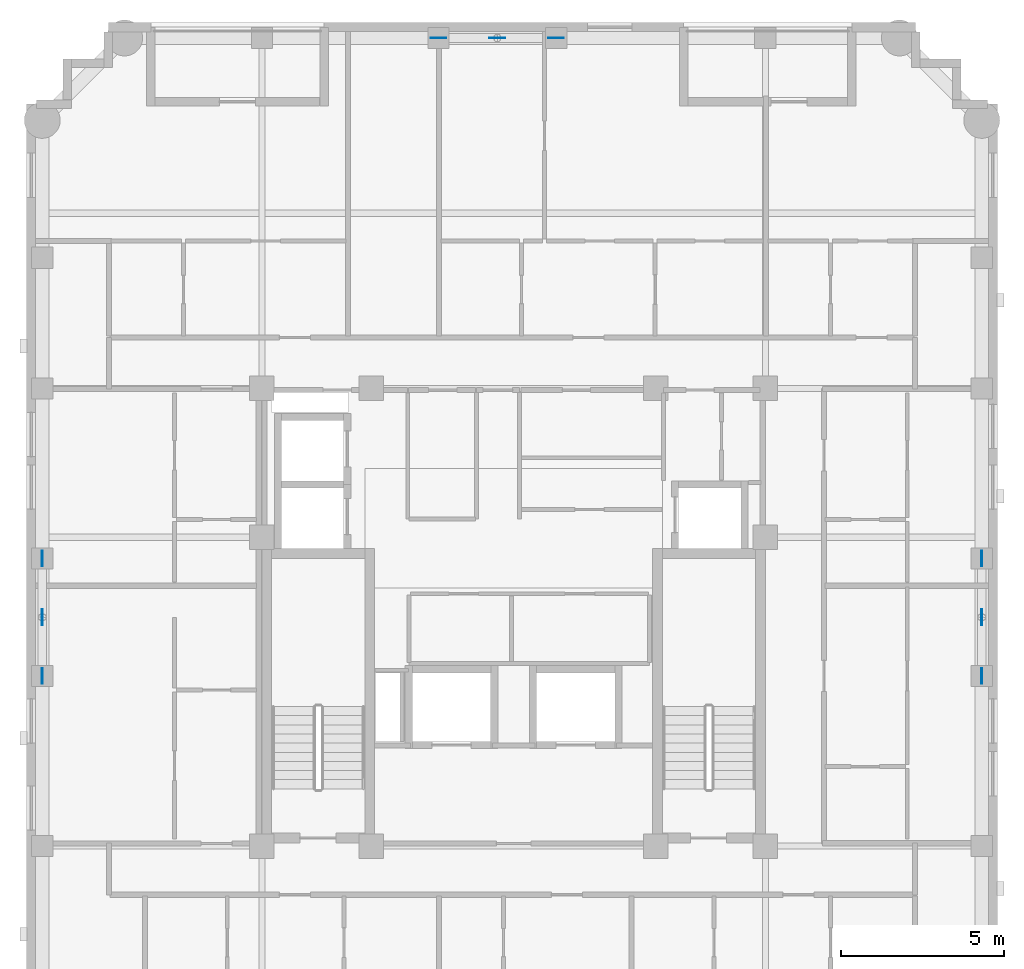
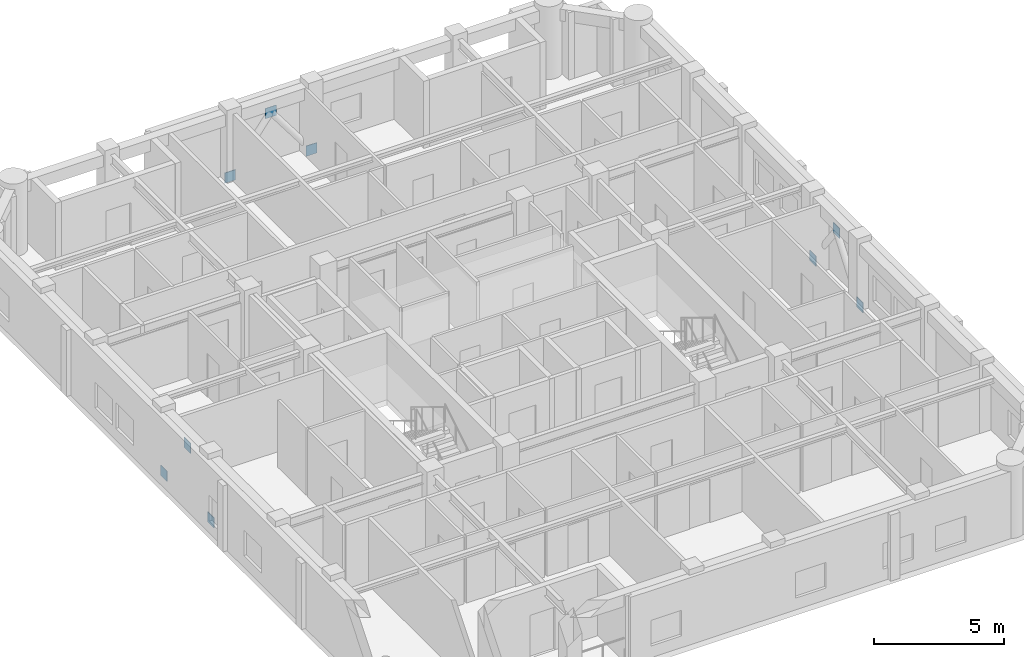
# One storey, part 8 of 10: 9 discrete accessories.
"""IFC4 building model written with IfcOpenShell, lengths in metres."""

from ifc_helpers import new_model, si_unit, derived_unit, direction, frame, origin, origin_2d, place, context, subcontext, project, spatial, rectangle, extrude, material, layer, layer_set, type_object, element, save


model = new_model("IFC4")

# Units and contexts
model_context = context("Model", 3, precision=1e-05, world=origin(), true_north=direction((0.0, 1.0)))
body_context = subcontext(model_context, "Body", "Model", "MODEL_VIEW")
ifc_project = project(units=[si_unit("LENGTHUNIT", "METRE"), si_unit("AREAUNIT", "SQUARE_METRE"), si_unit("VOLUMEUNIT", "CUBIC_METRE"), si_unit("PLANEANGLEUNIT", "RADIAN"), si_unit("MASSUNIT", "GRAM", prefix="KILO"), derived_unit("THERMALTRANSMITTANCEUNIT", [(si_unit("MASSUNIT", "GRAM", prefix="KILO"), 1), (si_unit("TIMEUNIT", "SECOND"), -3), (si_unit("THERMODYNAMICTEMPERATUREUNIT", "KELVIN"), -1)])], contexts=[model_context])

# Site, building, storey
site_placement = place(None, origin())
site = spatial("IfcSite", under=ifc_project, at=site_placement, CompositionType="ELEMENT")
building_placement = place(site_placement, origin())
building = spatial("IfcBuilding", under=site, at=building_placement, Name="Korrvale Station Residences", CompositionType="ELEMENT")
storey_placement = place(building_placement, frame((0.0, 0.0, 234.300048828125)))
storey = spatial("IfcBuildingStorey", under=building, at=storey_placement, Name="L68", CompositionType="ELEMENT", Elevation=234.300048828125)

# Discrete accessories
ifc_material = material(Name="Steel S355", Category="steel")
ifc_layer = layer(ifc_material, 0.02490234375, Name="Steel S355")
ifc_layer_set = layer_set([ifc_layer], Name="Steel S355")
discrete_accessory_type = type_object("IfcDiscreteAccessoryType", Name="ACC-GUSSET-25", PredefinedType="BRACKET", material=ifc_layer_set)
for number, where, z_axis, x_axis, name in (
    (1, (23.199951171875, 39.719970703125, -0.219970703125), (0.0, 0.0, 1.0), (1.0, 0.0, 0.0), "L68 N Brace End Gusset Connection A"),
    (2, (26.800048828125, 39.719970703125, -0.219970703125), (0.0, 0.0, 1.0), (1.0, 0.0, 0.0), "L68 N Brace End Gusset Connection B"),
    (3, (25.0, 39.719970703125, 2.169921875), (0.0, 0.0, 1.0), (1.0, 0.0, 0.0), "L68 N Brace End Gusset Connection M"),
    (4, (11.080078125, 20.199951171875, -0.219970703125), (0.0, 0.0, 1.0), (0.0, 1.0, 0.0), "L68 W Brace End Gusset Connection A"),
    (5, (11.080078125, 23.800048828125, -0.219970703125), (0.0, 0.0, 1.0), (0.0, 1.0, 0.0), "L68 W Brace End Gusset Connection B"),
    (6, (11.080078125, 22.0, 2.169921875), (0.0, 0.0, 1.0), (0.0, 1.0, 0.0), "L68 W Brace End Gusset Connection M"),
    (7, (39.820068359375, 20.199951171875, -0.219970703125), (0.0, 0.0, 1.0), (0.0, 1.0, 0.0), "L68 E Brace End Gusset Connection A"),
    (8, (39.820068359375, 23.800048828125, -0.219970703125), (0.0, 0.0, 1.0), (0.0, 1.0, 0.0), "L68 E Brace End Gusset Connection B"),
    (9, (39.820068359375, 22.0, 2.169921875), (0.0, 0.0, 1.0), (0.0, 1.0, 0.0), "L68 E Brace End Gusset Connection M"),
):
    element("IfcDiscreteAccessory", number, at=place(storey_placement, frame(where, z_axis=z_axis, x_axis=x_axis)), inside=storey, type_object=discrete_accessory_type, Name=name, PredefinedType="BRACKET", context=body_context, shape_type="SweptSolid", body=[
        extrude(rectangle(XDim=0.47998046875, YDim=0.02490234375, at=origin_2d()), origin(), (0.0, 0.0, 1.0), 0.47998046875),
    ])

save(model, "model.ifc")
